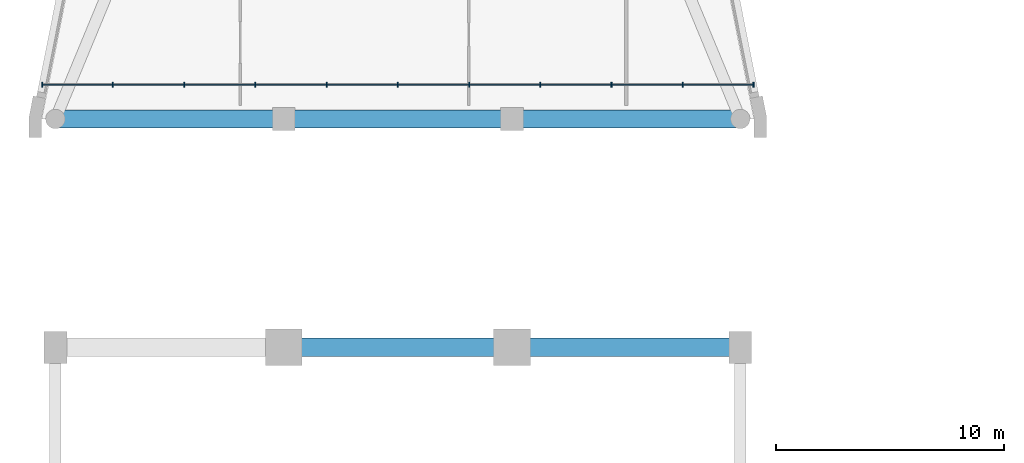
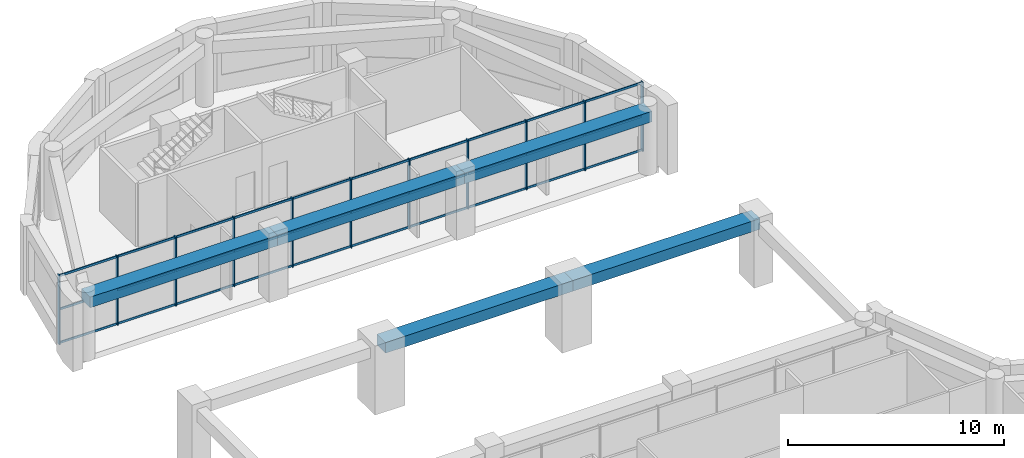
# One storey, part 3 of 11: 41 members, 5 beams, 1 element without a shape of its own.
"""IFC4 building model written with IfcOpenShell, lengths in metres."""

from ifc_helpers import new_model, si_unit, direction, frame, origin, origin_2d, place, context, subcontext, project, spatial, rectangle, extrude, material, layer, layer_set, material_profile, profile_set, type_object, element, aggregate, save


model = new_model("IFC4")

# Units and contexts
model_context = context("Model", 3, precision=1e-05, world=origin(), true_north=direction((0.0, 1.0)))
body_context = subcontext(model_context, "Body", "Model", "MODEL_VIEW")
ifc_project = project(units=[si_unit("LENGTHUNIT", "METRE"), si_unit("AREAUNIT", "SQUARE_METRE"), si_unit("VOLUMEUNIT", "CUBIC_METRE"), si_unit("PLANEANGLEUNIT", "RADIAN"), si_unit("MASSUNIT", "GRAM", prefix="KILO")], contexts=[model_context])

# Site, building, storey
site_placement = place(None, origin())
site = spatial("IfcSite", under=ifc_project, at=site_placement, CompositionType="ELEMENT")
building_placement = place(site_placement, origin())
building = spatial("IfcBuilding", under=site, at=building_placement, Name="Qaws Garden Tower", CompositionType="ELEMENT")
storey_placement = place(building_placement, frame((0.0, 0.0, 321.60009765625)))
storey = spatial("IfcBuildingStorey", under=building, at=storey_placement, Name="L78", CompositionType="ELEMENT", Elevation=321.60009765625)

# Curtain wall, members
ifc_material_1 = material(Name="Anodised aluminium curtain wall frame", Category="aluminium")
ifc_layer = layer(ifc_material_1, 0.159912109375)
ifc_layer_set = layer_set([ifc_layer], Name="Anodised aluminium curtain wall frame")
curtain_wall_type = type_object("IfcCurtainWallType", Name="CW5 portal screen curtain wall", PredefinedType="NOTDEFINED", material=ifc_layer_set)
curtain_wall_placement = place(storey_placement, origin())
curtain_wall = element("IfcCurtainWall", 1, at=curtain_wall_placement, inside=storey, type_object=curtain_wall_type, Name="CW5 Portal screen 1", PredefinedType="NOTDEFINED")
ifc_material_2 = material(Name="Anodised aluminium curtain wall frame", Category="aluminium")
ifc_material_profile_1 = material_profile(ifc_material_2, rectangle(XDim=0.199951171875, YDim=0.050048828125, at=origin_2d()), Name="AL 50x200")
ifc_profile_set_1 = profile_set([ifc_material_profile_1], Name="Anodised aluminium curtain wall frame")
member_type_1 = type_object("IfcMemberType", Name="CW5 mullion 50 x 200", PredefinedType="MULLION", material=ifc_profile_set_1)
member_1_placement = place(storey_placement, frame((-0.574951171875, 61.5, 0.0), z_axis=(0.0, 0.0, 1.0), x_axis=(0.0, 1.0, 0.0)))
member_1 = element("IfcMember", 2, at=member_1_placement, type_object=member_type_1, Name="CW5 mullion 1", PredefinedType="MULLION", context=body_context, shape_type="SweptSolid", body=[
    extrude(rectangle(XDim=0.199951171875, YDim=0.050048828125, at=origin_2d()), origin(), (0.0, 0.0, 1.0), 3.89990234375),
])
member_2_placement = place(storey_placement, frame((2.52001953125, 61.5, 0.0), z_axis=(0.0, 0.0, 1.0), x_axis=(0.0, 1.0, 0.0)))
member_2 = element("IfcMember", 3, at=member_2_placement, type_object=member_type_1, Name="CW5 mullion 2", PredefinedType="MULLION", context=body_context, shape_type="SweptSolid", body=[
    extrude(rectangle(XDim=0.199951171875, YDim=0.050048828125, at=origin_2d()), origin(), (0.0, 0.0, 1.0), 3.89990234375),
])
member_3_placement = place(storey_placement, frame((5.639892578125, 61.5, 0.0), z_axis=(0.0, 0.0, 1.0), x_axis=(0.0, 1.0, 0.0)))
member_3 = element("IfcMember", 4, at=member_3_placement, type_object=member_type_1, Name="CW5 mullion 3", PredefinedType="MULLION", context=body_context, shape_type="SweptSolid", body=[
    extrude(rectangle(XDim=0.199951171875, YDim=0.050048828125, at=origin_2d()), origin(), (0.0, 0.0, 1.0), 3.89990234375),
])
member_4_placement = place(storey_placement, frame((8.760009765625, 61.5, 0.0), z_axis=(0.0, 0.0, 1.0), x_axis=(0.0, 1.0, 0.0)))
member_4 = element("IfcMember", 5, at=member_4_placement, type_object=member_type_1, Name="CW5 mullion 4", PredefinedType="MULLION", context=body_context, shape_type="SweptSolid", body=[
    extrude(rectangle(XDim=0.199951171875, YDim=0.050048828125, at=origin_2d()), origin(), (0.0, 0.0, 1.0), 3.89990234375),
])
member_5_placement = place(storey_placement, frame((11.8798828125, 61.5, 0.0), z_axis=(0.0, 0.0, 1.0), x_axis=(0.0, 1.0, 0.0)))
member_5 = element("IfcMember", 6, at=member_5_placement, type_object=member_type_1, Name="CW5 mullion 5", PredefinedType="MULLION", context=body_context, shape_type="SweptSolid", body=[
    extrude(rectangle(XDim=0.199951171875, YDim=0.050048828125, at=origin_2d()), origin(), (0.0, 0.0, 1.0), 3.89990234375),
])
member_6_placement = place(storey_placement, frame((15.0, 61.5, 0.0), z_axis=(0.0, 0.0, 1.0), x_axis=(0.0, 1.0, 0.0)))
member_6 = element("IfcMember", 7, at=member_6_placement, type_object=member_type_1, Name="CW5 mullion 6", PredefinedType="MULLION", context=body_context, shape_type="SweptSolid", body=[
    extrude(rectangle(XDim=0.199951171875, YDim=0.050048828125, at=origin_2d()), origin(), (0.0, 0.0, 1.0), 3.89990234375),
])
member_7_placement = place(storey_placement, frame((18.1201171875, 61.5, 0.0), z_axis=(0.0, 0.0, 1.0), x_axis=(0.0, 1.0, 0.0)))
member_7 = element("IfcMember", 8, at=member_7_placement, type_object=member_type_1, Name="CW5 mullion 7", PredefinedType="MULLION", context=body_context, shape_type="SweptSolid", body=[
    extrude(rectangle(XDim=0.199951171875, YDim=0.050048828125, at=origin_2d()), origin(), (0.0, 0.0, 1.0), 3.89990234375),
])
member_8_placement = place(storey_placement, frame((21.239990234375, 61.5, 0.0), z_axis=(0.0, 0.0, 1.0), x_axis=(0.0, 1.0, 0.0)))
member_8 = element("IfcMember", 9, at=member_8_placement, type_object=member_type_1, Name="CW5 mullion 8", PredefinedType="MULLION", context=body_context, shape_type="SweptSolid", body=[
    extrude(rectangle(XDim=0.199951171875, YDim=0.050048828125, at=origin_2d()), origin(), (0.0, 0.0, 1.0), 3.89990234375),
])
member_9_placement = place(storey_placement, frame((24.360107421875, 61.5, 0.0), z_axis=(0.0, 0.0, 1.0), x_axis=(0.0, 1.0, 0.0)))
member_9 = element("IfcMember", 10, at=member_9_placement, type_object=member_type_1, Name="CW5 mullion 9", PredefinedType="MULLION", context=body_context, shape_type="SweptSolid", body=[
    extrude(rectangle(XDim=0.199951171875, YDim=0.050048828125, at=origin_2d()), origin(), (0.0, 0.0, 1.0), 3.89990234375),
])
member_10_placement = place(storey_placement, frame((27.47998046875, 61.5, 0.0), z_axis=(0.0, 0.0, 1.0), x_axis=(0.0, 1.0, 0.0)))
member_10 = element("IfcMember", 11, at=member_10_placement, type_object=member_type_1, Name="CW5 mullion 10", PredefinedType="MULLION", context=body_context, shape_type="SweptSolid", body=[
    extrude(rectangle(XDim=0.199951171875, YDim=0.050048828125, at=origin_2d()), origin(), (0.0, 0.0, 1.0), 3.89990234375),
])
member_11_placement = place(storey_placement, frame((30.574951171875, 61.5, 0.0), z_axis=(0.0, 0.0, 1.0), x_axis=(0.0, 1.0, 0.0)))
member_11 = element("IfcMember", 12, at=member_11_placement, type_object=member_type_1, Name="CW5 mullion 11", PredefinedType="MULLION", context=body_context, shape_type="SweptSolid", body=[
    extrude(rectangle(XDim=0.199951171875, YDim=0.050048828125, at=origin_2d()), origin(), (0.0, 0.0, 1.0), 3.89990234375),
])
ifc_material_3 = material(Name="Anodised aluminium curtain wall frame", Category="aluminium")
ifc_material_profile_2 = material_profile(ifc_material_3, rectangle(XDim=0.050048828125, YDim=0.1201171875, at=origin_2d()), Name="AL 50x120")
ifc_profile_set_2 = profile_set([ifc_material_profile_2], Name="Anodised aluminium curtain wall frame")
member_type_2 = type_object("IfcMemberType", Name="CW5 transom 120 x 50", PredefinedType="USERDEFINED", material=ifc_profile_set_2)
member_12_placement = place(storey_placement, frame((-0.550048828125, 61.5, 0.059814453125), z_axis=(1.0, 0.0, 0.0), x_axis=(0.0, 1.0, 0.0)))
member_12 = element("IfcMember", 13, at=member_12_placement, type_object=member_type_2, Name="CW5 transom 1.1", ObjectType="TRANSOM", PredefinedType="USERDEFINED", context=body_context, shape_type="SweptSolid", body=[
    extrude(rectangle(XDim=0.050048828125, YDim=0.1201171875, at=origin_2d()), origin(), (0.0, 0.0, 1.0), 3.045166015625),
])
member_13_placement = place(storey_placement, frame((-0.550048828125, 61.5, 1.949951171875), z_axis=(1.0, 0.0, 0.0), x_axis=(0.0, 1.0, 0.0)))
member_13 = element("IfcMember", 14, at=member_13_placement, type_object=member_type_2, Name="CW5 transom 1.2", ObjectType="TRANSOM", PredefinedType="USERDEFINED", context=body_context, shape_type="SweptSolid", body=[
    extrude(rectangle(XDim=0.050048828125, YDim=0.1201171875, at=origin_2d()), origin(), (0.0, 0.0, 1.0), 3.045166015625),
])
member_14_placement = place(storey_placement, frame((-0.550048828125, 61.5, 3.83984375), z_axis=(1.0, 0.0, 0.0), x_axis=(0.0, 1.0, 0.0)))
member_14 = element("IfcMember", 15, at=member_14_placement, type_object=member_type_2, Name="CW5 transom 1.3", ObjectType="TRANSOM", PredefinedType="USERDEFINED", context=body_context, shape_type="SweptSolid", body=[
    extrude(rectangle(XDim=0.050048828125, YDim=0.1201171875, at=origin_2d()), origin(), (0.0, 0.0, 1.0), 3.045166015625),
])
member_15_placement = place(storey_placement, frame((2.544921875, 61.5, 0.059814453125), z_axis=(1.0, 0.0, 0.0), x_axis=(0.0, 1.0, 0.0)))
member_15 = element("IfcMember", 16, at=member_15_placement, type_object=member_type_2, Name="CW5 transom 2.1", ObjectType="TRANSOM", PredefinedType="USERDEFINED", context=body_context, shape_type="SweptSolid", body=[
    extrude(rectangle(XDim=0.050048828125, YDim=0.1201171875, at=origin_2d()), origin(), (0.0, 0.0, 1.0), 3.070068359375),
])
member_16_placement = place(storey_placement, frame((2.544921875, 61.5, 1.949951171875), z_axis=(1.0, 0.0, 0.0), x_axis=(0.0, 1.0, 0.0)))
member_16 = element("IfcMember", 17, at=member_16_placement, type_object=member_type_2, Name="CW5 transom 2.2", ObjectType="TRANSOM", PredefinedType="USERDEFINED", context=body_context, shape_type="SweptSolid", body=[
    extrude(rectangle(XDim=0.050048828125, YDim=0.1201171875, at=origin_2d()), origin(), (0.0, 0.0, 1.0), 3.070068359375),
])
member_17_placement = place(storey_placement, frame((2.544921875, 61.5, 3.83984375), z_axis=(1.0, 0.0, 0.0), x_axis=(0.0, 1.0, 0.0)))
member_17 = element("IfcMember", 18, at=member_17_placement, type_object=member_type_2, Name="CW5 transom 2.3", ObjectType="TRANSOM", PredefinedType="USERDEFINED", context=body_context, shape_type="SweptSolid", body=[
    extrude(rectangle(XDim=0.050048828125, YDim=0.1201171875, at=origin_2d()), origin(), (0.0, 0.0, 1.0), 3.070068359375),
])
member_18_placement = place(storey_placement, frame((5.6650390625, 61.5, 0.059814453125), z_axis=(1.0, 0.0, 0.0), x_axis=(0.0, 1.0, 0.0)))
member_18 = element("IfcMember", 19, at=member_18_placement, type_object=member_type_2, Name="CW5 transom 3.1", ObjectType="TRANSOM", PredefinedType="USERDEFINED", context=body_context, shape_type="SweptSolid", body=[
    extrude(rectangle(XDim=0.050048828125, YDim=0.1201171875, at=origin_2d()), origin(), (0.0, 0.0, 1.0), 3.070068359375),
])
member_19_placement = place(storey_placement, frame((5.6650390625, 61.5, 1.949951171875), z_axis=(1.0, 0.0, 0.0), x_axis=(0.0, 1.0, 0.0)))
member_19 = element("IfcMember", 20, at=member_19_placement, type_object=member_type_2, Name="CW5 transom 3.2", ObjectType="TRANSOM", PredefinedType="USERDEFINED", context=body_context, shape_type="SweptSolid", body=[
    extrude(rectangle(XDim=0.050048828125, YDim=0.1201171875, at=origin_2d()), origin(), (0.0, 0.0, 1.0), 3.070068359375),
])
member_20_placement = place(storey_placement, frame((5.6650390625, 61.5, 3.83984375), z_axis=(1.0, 0.0, 0.0), x_axis=(0.0, 1.0, 0.0)))
member_20 = element("IfcMember", 21, at=member_20_placement, type_object=member_type_2, Name="CW5 transom 3.3", ObjectType="TRANSOM", PredefinedType="USERDEFINED", context=body_context, shape_type="SweptSolid", body=[
    extrude(rectangle(XDim=0.050048828125, YDim=0.1201171875, at=origin_2d()), origin(), (0.0, 0.0, 1.0), 3.070068359375),
])
member_21_placement = place(storey_placement, frame((8.784912109375, 61.5, 0.059814453125), z_axis=(1.0, 0.0, 0.0), x_axis=(0.0, 1.0, 0.0)))
member_21 = element("IfcMember", 22, at=member_21_placement, type_object=member_type_2, Name="CW5 transom 4.1", ObjectType="TRANSOM", PredefinedType="USERDEFINED", context=body_context, shape_type="SweptSolid", body=[
    extrude(rectangle(XDim=0.050048828125, YDim=0.1201171875, at=origin_2d()), origin(), (0.0, 0.0, 1.0), 3.070068359375),
])
member_22_placement = place(storey_placement, frame((8.784912109375, 61.5, 1.949951171875), z_axis=(1.0, 0.0, 0.0), x_axis=(0.0, 1.0, 0.0)))
member_22 = element("IfcMember", 23, at=member_22_placement, type_object=member_type_2, Name="CW5 transom 4.2", ObjectType="TRANSOM", PredefinedType="USERDEFINED", context=body_context, shape_type="SweptSolid", body=[
    extrude(rectangle(XDim=0.050048828125, YDim=0.1201171875, at=origin_2d()), origin(), (0.0, 0.0, 1.0), 3.070068359375),
])
member_23_placement = place(storey_placement, frame((8.784912109375, 61.5, 3.83984375), z_axis=(1.0, 0.0, 0.0), x_axis=(0.0, 1.0, 0.0)))
member_23 = element("IfcMember", 24, at=member_23_placement, type_object=member_type_2, Name="CW5 transom 4.3", ObjectType="TRANSOM", PredefinedType="USERDEFINED", context=body_context, shape_type="SweptSolid", body=[
    extrude(rectangle(XDim=0.050048828125, YDim=0.1201171875, at=origin_2d()), origin(), (0.0, 0.0, 1.0), 3.070068359375),
])
member_24_placement = place(storey_placement, frame((11.905029296875, 61.5, 0.059814453125), z_axis=(1.0, 0.0, 0.0), x_axis=(0.0, 1.0, 0.0)))
member_24 = element("IfcMember", 25, at=member_24_placement, type_object=member_type_2, Name="CW5 transom 5.1", ObjectType="TRANSOM", PredefinedType="USERDEFINED", context=body_context, shape_type="SweptSolid", body=[
    extrude(rectangle(XDim=0.050048828125, YDim=0.1201171875, at=origin_2d()), origin(), (0.0, 0.0, 1.0), 3.070068359375),
])
member_25_placement = place(storey_placement, frame((11.905029296875, 61.5, 1.949951171875), z_axis=(1.0, 0.0, 0.0), x_axis=(0.0, 1.0, 0.0)))
member_25 = element("IfcMember", 26, at=member_25_placement, type_object=member_type_2, Name="CW5 transom 5.2", ObjectType="TRANSOM", PredefinedType="USERDEFINED", context=body_context, shape_type="SweptSolid", body=[
    extrude(rectangle(XDim=0.050048828125, YDim=0.1201171875, at=origin_2d()), origin(), (0.0, 0.0, 1.0), 3.070068359375),
])
member_26_placement = place(storey_placement, frame((11.905029296875, 61.5, 3.83984375), z_axis=(1.0, 0.0, 0.0), x_axis=(0.0, 1.0, 0.0)))
member_26 = element("IfcMember", 27, at=member_26_placement, type_object=member_type_2, Name="CW5 transom 5.3", ObjectType="TRANSOM", PredefinedType="USERDEFINED", context=body_context, shape_type="SweptSolid", body=[
    extrude(rectangle(XDim=0.050048828125, YDim=0.1201171875, at=origin_2d()), origin(), (0.0, 0.0, 1.0), 3.070068359375),
])
member_27_placement = place(storey_placement, frame((15.02490234375, 61.5, 0.059814453125), z_axis=(1.0, 0.0, 0.0), x_axis=(0.0, 1.0, 0.0)))
member_27 = element("IfcMember", 28, at=member_27_placement, type_object=member_type_2, Name="CW5 transom 6.1", ObjectType="TRANSOM", PredefinedType="USERDEFINED", context=body_context, shape_type="SweptSolid", body=[
    extrude(rectangle(XDim=0.050048828125, YDim=0.1201171875, at=origin_2d()), origin(), (0.0, 0.0, 1.0), 3.070068359375),
])
member_28_placement = place(storey_placement, frame((15.02490234375, 61.5, 1.949951171875), z_axis=(1.0, 0.0, 0.0), x_axis=(0.0, 1.0, 0.0)))
member_28 = element("IfcMember", 29, at=member_28_placement, type_object=member_type_2, Name="CW5 transom 6.2", ObjectType="TRANSOM", PredefinedType="USERDEFINED", context=body_context, shape_type="SweptSolid", body=[
    extrude(rectangle(XDim=0.050048828125, YDim=0.1201171875, at=origin_2d()), origin(), (0.0, 0.0, 1.0), 3.070068359375),
])
member_29_placement = place(storey_placement, frame((15.02490234375, 61.5, 3.83984375), z_axis=(1.0, 0.0, 0.0), x_axis=(0.0, 1.0, 0.0)))
member_29 = element("IfcMember", 30, at=member_29_placement, type_object=member_type_2, Name="CW5 transom 6.3", ObjectType="TRANSOM", PredefinedType="USERDEFINED", context=body_context, shape_type="SweptSolid", body=[
    extrude(rectangle(XDim=0.050048828125, YDim=0.1201171875, at=origin_2d()), origin(), (0.0, 0.0, 1.0), 3.070068359375),
])
member_30_placement = place(storey_placement, frame((18.14501953125, 61.5, 0.059814453125), z_axis=(1.0, 0.0, 0.0), x_axis=(0.0, 1.0, 0.0)))
member_30 = element("IfcMember", 31, at=member_30_placement, type_object=member_type_2, Name="CW5 transom 7.1", ObjectType="TRANSOM", PredefinedType="USERDEFINED", context=body_context, shape_type="SweptSolid", body=[
    extrude(rectangle(XDim=0.050048828125, YDim=0.1201171875, at=origin_2d()), origin(), (0.0, 0.0, 1.0), 3.070068359375),
])
member_31_placement = place(storey_placement, frame((18.14501953125, 61.5, 1.949951171875), z_axis=(1.0, 0.0, 0.0), x_axis=(0.0, 1.0, 0.0)))
member_31 = element("IfcMember", 32, at=member_31_placement, type_object=member_type_2, Name="CW5 transom 7.2", ObjectType="TRANSOM", PredefinedType="USERDEFINED", context=body_context, shape_type="SweptSolid", body=[
    extrude(rectangle(XDim=0.050048828125, YDim=0.1201171875, at=origin_2d()), origin(), (0.0, 0.0, 1.0), 3.070068359375),
])
member_32_placement = place(storey_placement, frame((18.14501953125, 61.5, 3.83984375), z_axis=(1.0, 0.0, 0.0), x_axis=(0.0, 1.0, 0.0)))
member_32 = element("IfcMember", 33, at=member_32_placement, type_object=member_type_2, Name="CW5 transom 7.3", ObjectType="TRANSOM", PredefinedType="USERDEFINED", context=body_context, shape_type="SweptSolid", body=[
    extrude(rectangle(XDim=0.050048828125, YDim=0.1201171875, at=origin_2d()), origin(), (0.0, 0.0, 1.0), 3.070068359375),
])
member_33_placement = place(storey_placement, frame((21.264892578125, 61.5, 0.059814453125), z_axis=(1.0, 0.0, 0.0), x_axis=(0.0, 1.0, 0.0)))
member_33 = element("IfcMember", 34, at=member_33_placement, type_object=member_type_2, Name="CW5 transom 8.1", ObjectType="TRANSOM", PredefinedType="USERDEFINED", context=body_context, shape_type="SweptSolid", body=[
    extrude(rectangle(XDim=0.050048828125, YDim=0.1201171875, at=origin_2d()), origin(), (0.0, 0.0, 1.0), 3.070068359375),
])
member_34_placement = place(storey_placement, frame((21.264892578125, 61.5, 1.949951171875), z_axis=(1.0, 0.0, 0.0), x_axis=(0.0, 1.0, 0.0)))
member_34 = element("IfcMember", 35, at=member_34_placement, type_object=member_type_2, Name="CW5 transom 8.2", ObjectType="TRANSOM", PredefinedType="USERDEFINED", context=body_context, shape_type="SweptSolid", body=[
    extrude(rectangle(XDim=0.050048828125, YDim=0.1201171875, at=origin_2d()), origin(), (0.0, 0.0, 1.0), 3.070068359375),
])
member_35_placement = place(storey_placement, frame((21.264892578125, 61.5, 3.83984375), z_axis=(1.0, 0.0, 0.0), x_axis=(0.0, 1.0, 0.0)))
member_35 = element("IfcMember", 36, at=member_35_placement, type_object=member_type_2, Name="CW5 transom 8.3", ObjectType="TRANSOM", PredefinedType="USERDEFINED", context=body_context, shape_type="SweptSolid", body=[
    extrude(rectangle(XDim=0.050048828125, YDim=0.1201171875, at=origin_2d()), origin(), (0.0, 0.0, 1.0), 3.070068359375),
])
member_36_placement = place(storey_placement, frame((24.385009765625, 61.5, 0.059814453125), z_axis=(1.0, 0.0, 0.0), x_axis=(0.0, 1.0, 0.0)))
member_36 = element("IfcMember", 37, at=member_36_placement, type_object=member_type_2, Name="CW5 transom 9.1", ObjectType="TRANSOM", PredefinedType="USERDEFINED", context=body_context, shape_type="SweptSolid", body=[
    extrude(rectangle(XDim=0.050048828125, YDim=0.1201171875, at=origin_2d()), origin(), (0.0, 0.0, 1.0), 3.070068359375),
])
member_37_placement = place(storey_placement, frame((24.385009765625, 61.5, 1.949951171875), z_axis=(1.0, 0.0, 0.0), x_axis=(0.0, 1.0, 0.0)))
member_37 = element("IfcMember", 38, at=member_37_placement, type_object=member_type_2, Name="CW5 transom 9.2", ObjectType="TRANSOM", PredefinedType="USERDEFINED", context=body_context, shape_type="SweptSolid", body=[
    extrude(rectangle(XDim=0.050048828125, YDim=0.1201171875, at=origin_2d()), origin(), (0.0, 0.0, 1.0), 3.070068359375),
])
member_38_placement = place(storey_placement, frame((24.385009765625, 61.5, 3.83984375), z_axis=(1.0, 0.0, 0.0), x_axis=(0.0, 1.0, 0.0)))
member_38 = element("IfcMember", 39, at=member_38_placement, type_object=member_type_2, Name="CW5 transom 9.3", ObjectType="TRANSOM", PredefinedType="USERDEFINED", context=body_context, shape_type="SweptSolid", body=[
    extrude(rectangle(XDim=0.050048828125, YDim=0.1201171875, at=origin_2d()), origin(), (0.0, 0.0, 1.0), 3.070068359375),
])
member_39_placement = place(storey_placement, frame((27.5048828125, 61.5, 0.059814453125), z_axis=(1.0, 0.0, 0.0), x_axis=(0.0, 1.0, 0.0)))
member_39 = element("IfcMember", 40, at=member_39_placement, type_object=member_type_2, Name="CW5 transom 10.1", ObjectType="TRANSOM", PredefinedType="USERDEFINED", context=body_context, shape_type="SweptSolid", body=[
    extrude(rectangle(XDim=0.050048828125, YDim=0.1201171875, at=origin_2d()), origin(), (0.0, 0.0, 1.0), 3.045166015625),
])
member_40_placement = place(storey_placement, frame((27.5048828125, 61.5, 1.949951171875), z_axis=(1.0, 0.0, 0.0), x_axis=(0.0, 1.0, 0.0)))
member_40 = element("IfcMember", 41, at=member_40_placement, type_object=member_type_2, Name="CW5 transom 10.2", ObjectType="TRANSOM", PredefinedType="USERDEFINED", context=body_context, shape_type="SweptSolid", body=[
    extrude(rectangle(XDim=0.050048828125, YDim=0.1201171875, at=origin_2d()), origin(), (0.0, 0.0, 1.0), 3.045166015625),
])
member_41_placement = place(storey_placement, frame((27.5048828125, 61.5, 3.83984375), z_axis=(1.0, 0.0, 0.0), x_axis=(0.0, 1.0, 0.0)))
member_41 = element("IfcMember", 42, at=member_41_placement, type_object=member_type_2, Name="CW5 transom 10.3", ObjectType="TRANSOM", PredefinedType="USERDEFINED", context=body_context, shape_type="SweptSolid", body=[
    extrude(rectangle(XDim=0.050048828125, YDim=0.1201171875, at=origin_2d()), origin(), (0.0, 0.0, 1.0), 3.045166015625),
])
aggregate(curtain_wall, [member_1, member_2, member_3, member_4, member_5, member_6, member_7, member_8, member_9, member_10, member_11, member_12, member_13, member_14, member_15, member_16, member_17, member_18, member_19, member_20, member_21, member_22, member_23, member_24, member_25, member_26, member_27, member_28, member_29, member_30, member_31, member_32, member_33, member_34, member_35, member_36, member_37, member_38, member_39, member_40, member_41])

# Beams
ifc_material_4 = material(Name="Concrete C45", Category="concrete")
ifc_material_profile_3 = material_profile(ifc_material_4, rectangle(XDim=0.800048828125, YDim=0.60009765625, at=origin_2d()), Name="RC 800x600")
ifc_profile_set_3 = profile_set([ifc_material_profile_3], Name="Concrete C45")
beam_type = type_object("IfcBeamType", Name="Portal edge beam RC 800x600 C45", PredefinedType="BEAM", material=ifc_profile_set_3)
for number, where, z_axis, x_axis, name in (
    (43, (10.0, 50.0, 3.27978515625), (1.0, 0.0, 0.0), (0.0, 1.0, 0.0), "Portal tie beam L78-5"),
    (44, (20.0, 50.0, 3.27978515625), (1.0, 0.0, 0.0), (0.0, 1.0, 0.0), "Portal tie beam L78-6"),
    (45, (0.0, 60.0, 3.27978515625), (1.0, 0.0, 0.0), (0.0, 1.0, 0.0), "Portal edge beam L78-7"),
    (46, (10.0, 60.0, 3.27978515625), (1.0, 0.0, 0.0), (0.0, 1.0, 0.0), "Portal edge beam L78-8"),
    (47, (20.0, 60.0, 3.27978515625), (1.0, 0.0, 0.0), (0.0, 1.0, 0.0), "Portal edge beam L78-9"),
):
    element("IfcBeam", number, at=place(storey_placement, frame(where, z_axis=z_axis, x_axis=x_axis)), inside=storey, type_object=beam_type, Name=name, PredefinedType="BEAM", context=body_context, shape_type="SweptSolid", body=[
        extrude(rectangle(XDim=0.800048828125, YDim=0.60009765625, at=origin_2d()), origin(), (0.0, 0.0, 1.0), 10.0),
    ])

save(model, "model.ifc")
